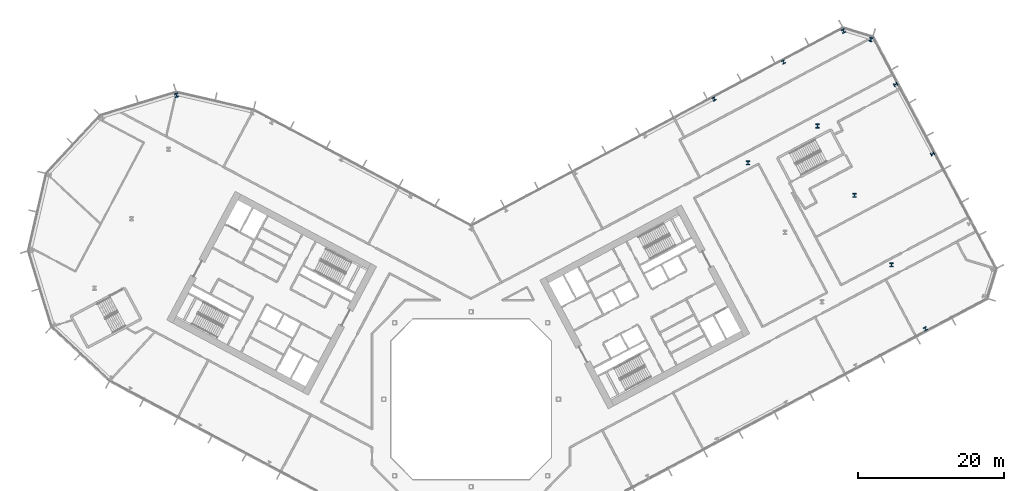
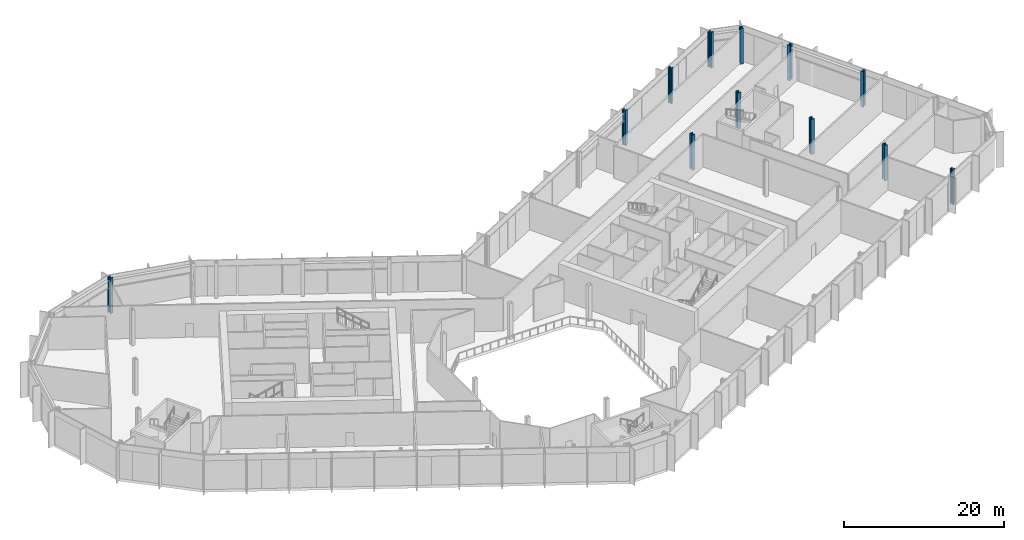
# One storey, part 4 of 32: 12 columns.
"""IFC4 building model written with IfcOpenShell, lengths in metres."""

from ifc_helpers import new_model, si_unit, direction, frame, origin, origin_2d, place, context, subcontext, project, spatial, i_section, extrude, material, material_profile, profile_set, type_object, element, save


model = new_model("IFC4")

# Units and contexts
model_context = context("Model", 3, precision=1e-05, world=origin(), true_north=direction((0.0, 1.0)))
body_context = subcontext(model_context, "Body", "Model", "MODEL_VIEW")
ifc_project = project(units=[si_unit("LENGTHUNIT", "METRE"), si_unit("AREAUNIT", "SQUARE_METRE"), si_unit("VOLUMEUNIT", "CUBIC_METRE"), si_unit("PLANEANGLEUNIT", "RADIAN"), si_unit("MASSUNIT", "GRAM", prefix="KILO")], contexts=[model_context])

# Site, building, storey
site_placement = place(None, origin())
site = spatial("IfcSite", under=ifc_project, at=site_placement, CompositionType="ELEMENT")
building_placement = place(site_placement, origin())
building = spatial("IfcBuilding", under=site, at=building_placement, Name="Cormorant Relay Tower", CompositionType="ELEMENT")
storey_placement = place(building_placement, frame((0.0, 0.0, 28.39990234375)))
storey = spatial("IfcBuildingStorey", under=building, at=storey_placement, Name="L05", CompositionType="ELEMENT", Elevation=28.39990234375)

# Columns
ifc_material_1 = material(Name="Steel ASTM A992 (Fy 345 MPa)", Category="steel")
ifc_material_profile_1 = material_profile(ifc_material_1, i_section(OverallWidth=0.45458984375, OverallDepth=0.569091796875, WebThickness=0.077880859375, FlangeThickness=0.124755859375, FilletRadius=0.015380859375, at=origin_2d()), Name="W360x1086")
ifc_profile_set_1 = profile_set([ifc_material_profile_1], Name="Steel ASTM A992 (Fy 345 MPa)")
column_type_1 = type_object("IfcColumnType", Name="Column W360x1086", PredefinedType="COLUMN", material=ifc_profile_set_1)
for number, where, z_axis, x_axis, name in (
    (1, (57.694091796875, 18.445068359375, 0.0), (0.0, 0.0, 1.0), (1.0, 0.0, 0.0), "Column L05-029"),
    (2, (52.6240234375, 27.98095703125, 0.0), (0.0, 0.0, 1.0), (1.0, 0.0, 0.0), "Column L05-037"),
    (3, (38.01806640625, 32.446044921875, 0.0), (0.0, 0.0, 1.0), (1.0, 0.0, 0.0), "Column L05-040"),
    (4, (47.552978515625, 37.51611328125, 0.0), (0.0, 0.0, 1.0), (1.0, 0.0, 0.0), "Column L05-045"),
    (5, (-40.451904296875, 41.73388671875, 0.0), (0.0, 0.0, 1.0), (-0.956304755963, -0.292371704723, 0.0), "Column L05-050"),
    (6, (54.866943359375, 49.385986328125, 0.0), (0.0, 0.0, 1.0), (-0.956304755963, 0.292371704723, 0.0), "Column L05-053"),
    (7, (51.10302734375, 50.537109375, 0.0), (0.0, 0.0, 1.0), (-0.882947592859, -0.469471562786, 0.0), "Column L05-054"),
):
    element("IfcColumn", number, at=place(storey_placement, frame(where, z_axis=z_axis, x_axis=x_axis)), inside=storey, type_object=column_type_1, Name=name, PredefinedType="COLUMN", context=body_context, shape_type="SweptSolid", body=[
        extrude(i_section(OverallWidth=0.45458984375, OverallDepth=0.569091796875, WebThickness=0.077880859375, FlangeThickness=0.124755859375, FilletRadius=0.015380859375, at=origin_2d()), origin(), (0.0, 0.0, 1.0), 5.400146484375),
    ])
ifc_material_2 = material(Name="Steel ASTM A992 (Fy 345 MPa)", Category="steel")
ifc_material_profile_2 = material_profile(ifc_material_2, i_section(OverallWidth=0.43701171875, OverallDepth=0.51318359375, WebThickness=0.060546875, FlangeThickness=0.096923828125, FilletRadius=0.015380859375, at=origin_2d()), Name="W360x818")
ifc_profile_set_2 = profile_set([ifc_material_profile_2], Name="Steel ASTM A992 (Fy 345 MPa)")
column_type_2 = type_object("IfcColumnType", Name="Column W360x818", PredefinedType="COLUMN", material=ifc_profile_set_2)
for number, where, z_axis, x_axis, name in (
    (8, (62.361083984375, 9.66796875, 0.0), (0.0, 0.0, 1.0), (0.882947592859, 0.469471562786, 0.0), "Column L05-020"),
    (9, (63.343017578125, 33.679931640625, 0.0), (0.0, 0.0, 1.0), (-0.469471562786, 0.882947592859, 0.0), "Column L05-042"),
    (10, (33.35107421875, 41.222900390625, 0.0), (0.0, 0.0, 1.0), (-0.882947592859, -0.469471562786, 0.0), "Column L05-049"),
    (11, (58.27197265625, 43.216064453125, 0.0), (0.0, 0.0, 1.0), (-0.469471562786, 0.882947592859, 0.0), "Column L05-051"),
    (12, (42.886962890625, 46.29296875, 0.0), (0.0, 0.0, 1.0), (-0.882947592859, -0.469471562786, 0.0), "Column L05-052"),
):
    element("IfcColumn", number, at=place(storey_placement, frame(where, z_axis=z_axis, x_axis=x_axis)), inside=storey, type_object=column_type_2, Name=name, PredefinedType="COLUMN", context=body_context, shape_type="SweptSolid", body=[
        extrude(i_section(OverallWidth=0.43701171875, OverallDepth=0.51318359375, WebThickness=0.060546875, FlangeThickness=0.096923828125, FilletRadius=0.015380859375, at=origin_2d()), origin(), (0.0, 0.0, 1.0), 5.400146484375),
    ])

save(model, "model.ifc")
